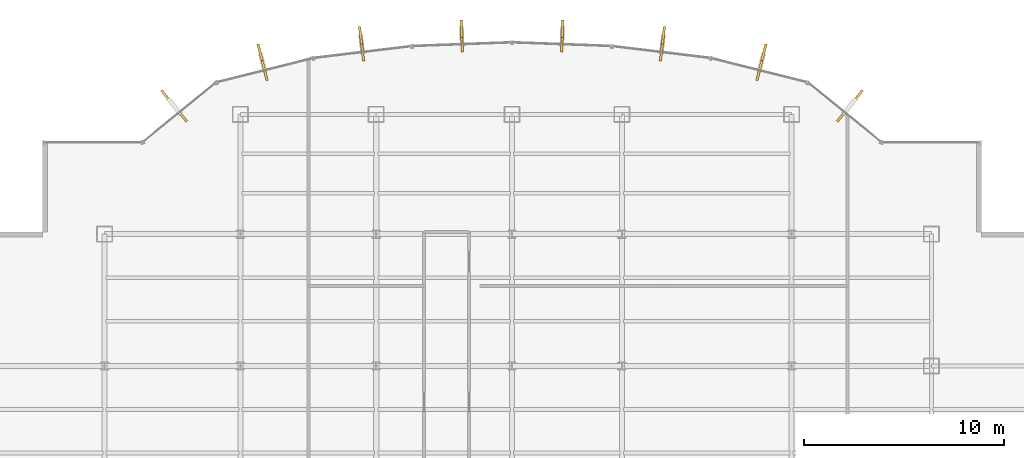
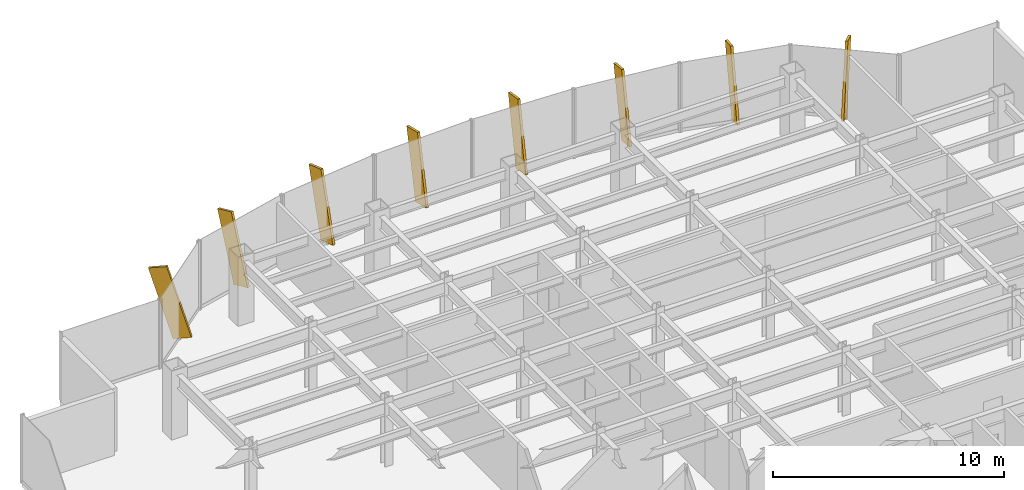
# One storey, part 25 of 26: 8 shading devices.
"""IFC4 building model written with IfcOpenShell, lengths in metres."""

from ifc_helpers import new_model, si_unit, derived_unit, direction, frame, origin, origin_2d, place, context, subcontext, project, spatial, rectangle, extrude, source, transform, mapped, material, type_object, element, save


model = new_model("IFC4")

# Units and contexts
model_context = context("Model", 3, precision=1e-05, world=origin(), true_north=direction((0.0, 1.0)))
body_context = subcontext(model_context, "Body", "Model", "MODEL_VIEW")
ifc_project = project(units=[si_unit("LENGTHUNIT", "METRE"), si_unit("AREAUNIT", "SQUARE_METRE"), si_unit("VOLUMEUNIT", "CUBIC_METRE"), si_unit("PLANEANGLEUNIT", "RADIAN"), si_unit("MASSUNIT", "GRAM", prefix="KILO"), derived_unit("THERMALTRANSMITTANCEUNIT", [(si_unit("POWERUNIT", "WATT"), 1), (si_unit("LENGTHUNIT", "METRE"), -2), (si_unit("THERMODYNAMICTEMPERATUREUNIT", "KELVIN"), -1)])], contexts=[model_context])

# Site, building, storey
site_placement = place(None, origin())
site = spatial("IfcSite", under=ifc_project, at=site_placement, CompositionType="ELEMENT")
building_placement = place(site_placement, origin())
building = spatial("IfcBuilding", under=site, at=building_placement, Name="Skarnbrae Concourse Arena and Tower", CompositionType="ELEMENT")
storey_placement = place(building_placement, frame((0.0, 0.0, 132.449951171875)))
storey = spatial("IfcBuildingStorey", under=building, at=storey_placement, Name="L33", CompositionType="ELEMENT", Elevation=132.449951171875)

# Shading devices
ifc_material = material(Name="Bronze anodised aluminium 6063-T6", Category="aluminium")
shading_device_type = type_object("IfcShadingDeviceType", Name="SHD-BRONZE-FIN-900", PredefinedType="USERDEFINED", material=ifc_material)
shared_shape = source(origin(), body_context, "Body", "SweptSolid", [
    extrude(rectangle(XDim=0.1201171875, YDim=0.89990234375, at=origin_2d()), origin(), (0.0, 0.0, 1.0), 3.64990234375),
])
for number, where, z_axis, x_axis, name in (
    (1, (44.55859375, 40.37841796875, 0.092529296875), (0.198264255826, 0.24412076913, 0.949260941439), (0.776244501415, -0.630431974144, 0.0), "L33 Outward-leaning bronze shading fin 08"),
    (2, (40.3662109375, 42.518310546875, 0.072265625), (0.067892551055, 0.270431405469, 0.960342364184), (0.969901771235, -0.243496517748, 0.0), "L33 Outward-leaning bronze shading fin 09"),
    (3, (35.47998046875, 43.5, 0.05224609375), (0.02855092597, 0.235794115114, 0.971383539033), (0.992748952377, -0.120206146079, 0.0), "L33 Outward-leaning bronze shading fin 10"),
    (4, (30.501953125, 43.970947265625, 0.03515625), (0.007254315011, 0.194955401716, 0.980785280403), (0.999308421355, -0.037184392011, 0.0), "L33 Outward-leaning bronze shading fin 11"),
    (5, (25.498046875, 43.970947265625, 0.03515625), (-0.007254315011, 0.194955401716, 0.980785280403), (0.999308421355, 0.037184392011, 0.0), "L33 Outward-leaning bronze shading fin 12"),
    (6, (20.52001953125, 43.5, 0.05224609375), (-0.02855092597, 0.235794115114, 0.971383539033), (0.992748952377, 0.120206146079, 0.0), "L33 Outward-leaning bronze shading fin 13"),
    (7, (15.6337890625, 42.518310546875, 0.072265625), (-0.067892551055, 0.270431405469, 0.960342364184), (0.969901771235, 0.243496517748, 0.0), "L33 Outward-leaning bronze shading fin 14"),
    (8, (11.44140625, 40.37841796875, 0.092529296875), (-0.198264255826, 0.24412076913, 0.949260941439), (0.776244501415, 0.630431974144, 0.0), "L33 Outward-leaning bronze shading fin 15"),
):
    element("IfcShadingDevice", number, at=place(storey_placement, frame(where, z_axis=z_axis, x_axis=x_axis)), inside=storey, type_object=shading_device_type, Name=name, ObjectType="FIN", PredefinedType="USERDEFINED", context=body_context, shape_type="MappedRepresentation", body=[
        mapped(shared_shape, transform((0.0, 0.0, 0.0))),
    ])

save(model, "model.ifc")
